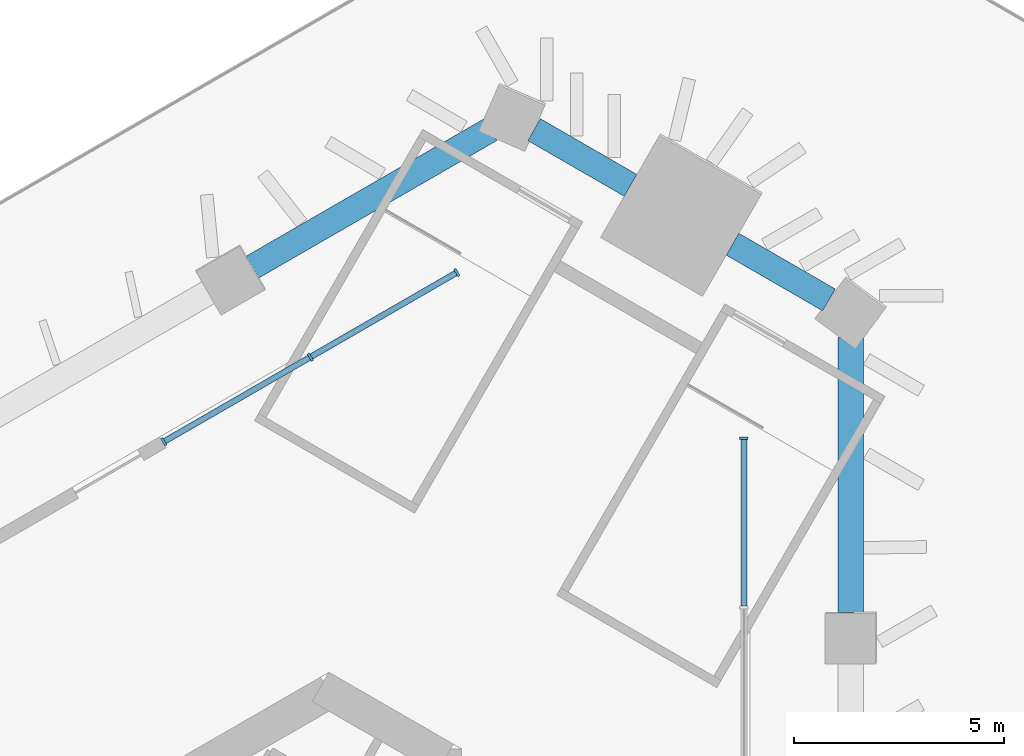
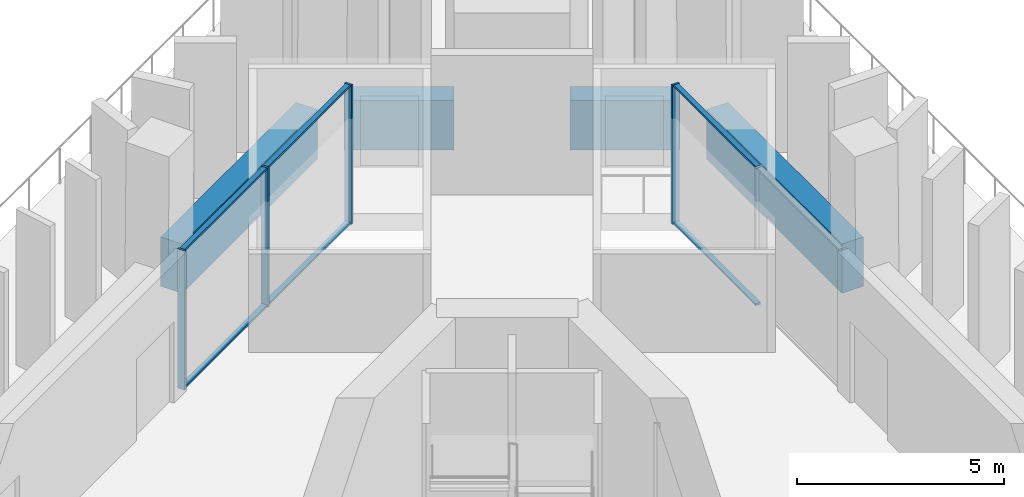
# One storey, part 9 of 31: 10 members, 4 beams, 2 elements without a shape of their own.
"""IFC4 building model written with IfcOpenShell, lengths in metres."""

from ifc_helpers import new_model, si_unit, direction, frame, origin, origin_2d, place, context, subcontext, project, spatial, rectangle, extrude, material, layer, layer_set, material_profile, profile_set, type_object, element, aggregate, save


model = new_model("IFC4")

# Units and contexts
model_context = context("Model", 3, precision=1e-05, world=origin(), true_north=direction((0.0, 1.0)))
body_context = subcontext(model_context, "Body", "Model", "MODEL_VIEW")
ifc_project = project(units=[si_unit("LENGTHUNIT", "METRE"), si_unit("AREAUNIT", "SQUARE_METRE"), si_unit("VOLUMEUNIT", "CUBIC_METRE"), si_unit("PLANEANGLEUNIT", "RADIAN"), si_unit("MASSUNIT", "GRAM", prefix="KILO")], contexts=[model_context])

# Site, building, storey
site_placement = place(None, origin())
site = spatial("IfcSite", under=ifc_project, at=site_placement, CompositionType="ELEMENT")
building_placement = place(site_placement, origin())
building = spatial("IfcBuilding", under=site, at=building_placement, Name="Jabali Bay Hotel Tower and Convention Centre", CompositionType="ELEMENT")
storey_placement = place(building_placement, frame((0.0, 0.0, 25.39990234375)))
storey = spatial("IfcBuildingStorey", under=building, at=storey_placement, Name="L04", CompositionType="ELEMENT", Elevation=25.39990234375)

# Curtain wall, member
ifc_material_1 = material(Name="Aluminium and glass", Category="aluminium")
ifc_layer = layer(ifc_material_1, 0.199951171875)
ifc_layer_set = layer_set([ifc_layer], Name="Aluminium and glass")
curtain_wall_type = type_object("IfcCurtainWallType", Name="CW6 curtain wall", PredefinedType="NOTDEFINED", material=ifc_layer_set)
curtain_wall_1_placement = place(storey_placement, origin())
curtain_wall_1 = element("IfcCurtainWall", 1, at=curtain_wall_1_placement, inside=storey, type_object=curtain_wall_type, Name="CW6 curtain wall east face L04", PredefinedType="NOTDEFINED")
ifc_material_2 = material(Name="Aluminium", Category="aluminium")
ifc_material_profile_1 = material_profile(ifc_material_2, rectangle(XDim=0.199951171875, YDim=0.06005859375, at=origin_2d()), Name="CW6 mullion 60 x 200")
ifc_profile_set_1 = profile_set([ifc_material_profile_1], Name="Aluminium")
member_type_1 = type_object("IfcMemberType", Name="CW6 mullion 60 x 200", PredefinedType="MULLION", material=ifc_profile_set_1)
member_1_placement = place(storey_placement, frame((96.5927734375, 109.515869140625, 0.0), z_axis=(0.0, 0.0, 1.0), x_axis=(1.0, 0.0, 0.0)))
member_1 = element("IfcMember", 2, at=member_1_placement, type_object=member_type_1, Name="CW6 mullion 1", PredefinedType="MULLION", context=body_context, shape_type="SweptSolid", body=[
    extrude(rectangle(XDim=0.199951171875, YDim=0.06005859375, at=origin_2d()), origin(), (0.0, 0.0, 1.0), 4.10009765625),
])

# Curtain wall, members
curtain_wall_2_placement = place(storey_placement, origin())
curtain_wall_2 = element("IfcCurtainWall", 3, at=curtain_wall_2_placement, inside=storey, type_object=curtain_wall_type, Name="CW6 curtain wall north-west face L04", PredefinedType="NOTDEFINED")
member_2_placement = place(storey_placement, frame((82.79443359375, 109.433349609375, 0.0), z_axis=(0.0, 0.0, 1.0), x_axis=(-0.499999997944, 0.866025404971, 0.0)))
member_2 = element("IfcMember", 4, at=member_2_placement, type_object=member_type_1, Name="CW6 mullion 1", PredefinedType="MULLION", context=body_context, shape_type="SweptSolid", body=[
    extrude(rectangle(XDim=0.199951171875, YDim=0.06005859375, at=origin_2d()), origin(), (0.0, 0.0, 1.0), 4.10009765625),
])
member_3_placement = place(storey_placement, frame((86.279541015625, 111.445556640625, 0.0), z_axis=(0.0, 0.0, 1.0), x_axis=(-0.499999997944, 0.866025404971, 0.0)))
member_3 = element("IfcMember", 5, at=member_3_placement, type_object=member_type_1, Name="CW6 mullion 2", PredefinedType="MULLION", context=body_context, shape_type="SweptSolid", body=[
    extrude(rectangle(XDim=0.199951171875, YDim=0.06005859375, at=origin_2d()), origin(), (0.0, 0.0, 1.0), 4.10009765625),
])
member_4_placement = place(storey_placement, frame((89.764892578125, 113.457763671875, 0.0), z_axis=(0.0, 0.0, 1.0), x_axis=(-0.499999997944, 0.866025404971, 0.0)))
member_4 = element("IfcMember", 6, at=member_4_placement, type_object=member_type_1, Name="CW6 mullion 3", PredefinedType="MULLION", context=body_context, shape_type="SweptSolid", body=[
    extrude(rectangle(XDim=0.199951171875, YDim=0.06005859375, at=origin_2d()), origin(), (0.0, 0.0, 1.0), 4.10009765625),
])

# Member
ifc_material_profile_2 = material_profile(ifc_material_2, rectangle(XDim=0.139892578125, YDim=0.06005859375, at=origin_2d()), Name="CW6 transom 60 x 140")
ifc_profile_set_2 = profile_set([ifc_material_profile_2], Name="Aluminium")
member_type_2 = type_object("IfcMemberType", Name="CW6 transom 60 x 140", PredefinedType="USERDEFINED", material=ifc_profile_set_2)
member_5_placement = place(storey_placement, frame((96.5927734375, 109.48583984375, 0.030029296875), z_axis=(0.0, -1.0, 0.0), x_axis=(1.0, 0.0, 0.0)))
member_5 = element("IfcMember", 7, at=member_5_placement, type_object=member_type_2, Name="CW6 transom 1.1", ObjectType="TRANSOM", PredefinedType="USERDEFINED", context=body_context, shape_type="SweptSolid", body=[
    extrude(rectangle(XDim=0.139892578125, YDim=0.06005859375, at=origin_2d()), origin(), (0.0, 0.0, 1.0), 3.964599609375),
])

member_6_placement = place(storey_placement, frame((96.5927734375, 109.48583984375, 4.070068359375), z_axis=(0.0, -1.0, 0.0), x_axis=(1.0, 0.0, 0.0)))
member_6 = element("IfcMember", 8, at=member_6_placement, type_object=member_type_2, Name="CW6 transom 1.2", ObjectType="TRANSOM", PredefinedType="USERDEFINED", context=body_context, shape_type="SweptSolid", body=[
    extrude(rectangle(XDim=0.139892578125, YDim=0.06005859375, at=origin_2d()), origin(), (0.0, 0.0, 1.0), 3.964599609375),
])

aggregate(curtain_wall_1, [member_1, member_5, member_6])

member_7_placement = place(storey_placement, frame((82.8203125, 109.4482421875, 0.030029296875), z_axis=(0.866006119872, 0.500033399229, 0.0), x_axis=(-0.500033399229, 0.866006119872, 0.0)))
member_7 = element("IfcMember", 9, at=member_7_placement, type_object=member_type_2, Name="CW6 transom 1.1", ObjectType="TRANSOM", PredefinedType="USERDEFINED", context=body_context, shape_type="SweptSolid", body=[
    extrude(rectangle(XDim=0.139892578125, YDim=0.06005859375, at=origin_2d()), origin(), (0.0, 0.0, 1.0), 3.964599609375),
])

member_8_placement = place(storey_placement, frame((82.8203125, 109.4482421875, 4.070068359375), z_axis=(0.866006119872, 0.500033399229, 0.0), x_axis=(-0.500033399229, 0.866006119872, 0.0)))
member_8 = element("IfcMember", 10, at=member_8_placement, type_object=member_type_2, Name="CW6 transom 1.2", ObjectType="TRANSOM", PredefinedType="USERDEFINED", context=body_context, shape_type="SweptSolid", body=[
    extrude(rectangle(XDim=0.139892578125, YDim=0.06005859375, at=origin_2d()), origin(), (0.0, 0.0, 1.0), 3.964599609375),
])

member_9_placement = place(storey_placement, frame((86.3056640625, 111.460693359375, 0.030029296875), z_axis=(0.866032785774, 0.499987213802, 0.0), x_axis=(-0.499987213802, 0.866032785774, 0.0)))
member_9 = element("IfcMember", 11, at=member_9_placement, type_object=member_type_2, Name="CW6 transom 2.1", ObjectType="TRANSOM", PredefinedType="USERDEFINED", context=body_context, shape_type="SweptSolid", body=[
    extrude(rectangle(XDim=0.139892578125, YDim=0.06005859375, at=origin_2d()), origin(), (0.0, 0.0, 1.0), 3.96435546875),
])

member_10_placement = place(storey_placement, frame((86.3056640625, 111.460693359375, 4.070068359375), z_axis=(0.866032785774, 0.499987213802, 0.0), x_axis=(-0.499987213802, 0.866032785774, 0.0)))
member_10 = element("IfcMember", 12, at=member_10_placement, type_object=member_type_2, Name="CW6 transom 2.2", ObjectType="TRANSOM", PredefinedType="USERDEFINED", context=body_context, shape_type="SweptSolid", body=[
    extrude(rectangle(XDim=0.139892578125, YDim=0.06005859375, at=origin_2d()), origin(), (0.0, 0.0, 1.0), 3.96435546875),
])

aggregate(curtain_wall_2, [member_2, member_3, member_4, member_7, member_8, member_9, member_10])

# Beams
ifc_material_3 = material(Name="Concrete C60", Category="concrete")
ifc_material_profile_3 = material_profile(ifc_material_3, rectangle(XDim=0.60009765625, YDim=1.449951171875, at=origin_2d()), Name="Spandrel 600x1450")
ifc_profile_set_3 = profile_set([ifc_material_profile_3], Name="Concrete C60")
beam_type = type_object("IfcBeamType", Name="Spandrel 600x1450", PredefinedType="SPANDREL", material=ifc_profile_set_3)
beam_1_placement = place(storey_placement, frame((93.8974609375, 115.53125, 0.375), z_axis=(-0.866010570869, 0.500025690483, 0.0), x_axis=(-0.500025690483, -0.866010570869, 0.0)))
element("IfcBeam", 13, at=beam_1_placement, inside=storey, type_object=beam_type, Name="Spandrel M1-V2 L04", PredefinedType="SPANDREL", context=body_context, shape_type="SweptSolid", body=[
    extrude(rectangle(XDim=0.60009765625, YDim=1.449951171875, at=origin_2d()), origin(), (0.0, 0.0, 1.0), 2.648193359375),
])
beam_2_placement = place(storey_placement, frame((90.564697265625, 116.85546875, 0.375), z_axis=(-0.866018903231, -0.500011259119, 0.0), x_axis=(0.500011259119, -0.866018903231, 0.0)))
element("IfcBeam", 14, at=beam_2_placement, inside=storey, type_object=beam_type, Name="Spandrel V2-F1.1 L04", PredefinedType="SPANDREL", context=body_context, shape_type="SweptSolid", body=[
    extrude(rectangle(XDim=0.60009765625, YDim=1.449951171875, at=origin_2d()), origin(), (0.0, 0.0, 1.0), 6.536865234375),
])
beam_3_placement = place(storey_placement, frame((99.13525390625, 105.3701171875, 0.375), z_axis=(0.0, 1.0, 0.0), x_axis=(-1.0, 0.0, 0.0)))
element("IfcBeam", 15, at=beam_3_placement, inside=storey, type_object=beam_type, Name="Spandrel F0.5-V1 L04", PredefinedType="SPANDREL", context=body_context, shape_type="SweptSolid", body=[
    extrude(rectangle(XDim=0.60009765625, YDim=1.449951171875, at=origin_2d()), origin(), (0.0, 0.0, 1.0), 6.537109375),
])
beam_4_placement = place(storey_placement, frame((98.61572265625, 112.80712890625, 0.375), z_axis=(-0.866010570869, 0.500025690483, 0.0), x_axis=(-0.500025690483, -0.866010570869, 0.0)))
element("IfcBeam", 16, at=beam_4_placement, inside=storey, type_object=beam_type, Name="Spandrel V1-M1 L04", PredefinedType="SPANDREL", context=body_context, shape_type="SweptSolid", body=[
    extrude(rectangle(XDim=0.60009765625, YDim=1.449951171875, at=origin_2d()), origin(), (0.0, 0.0, 1.0), 2.648193359375),
])

save(model, "model.ifc")
